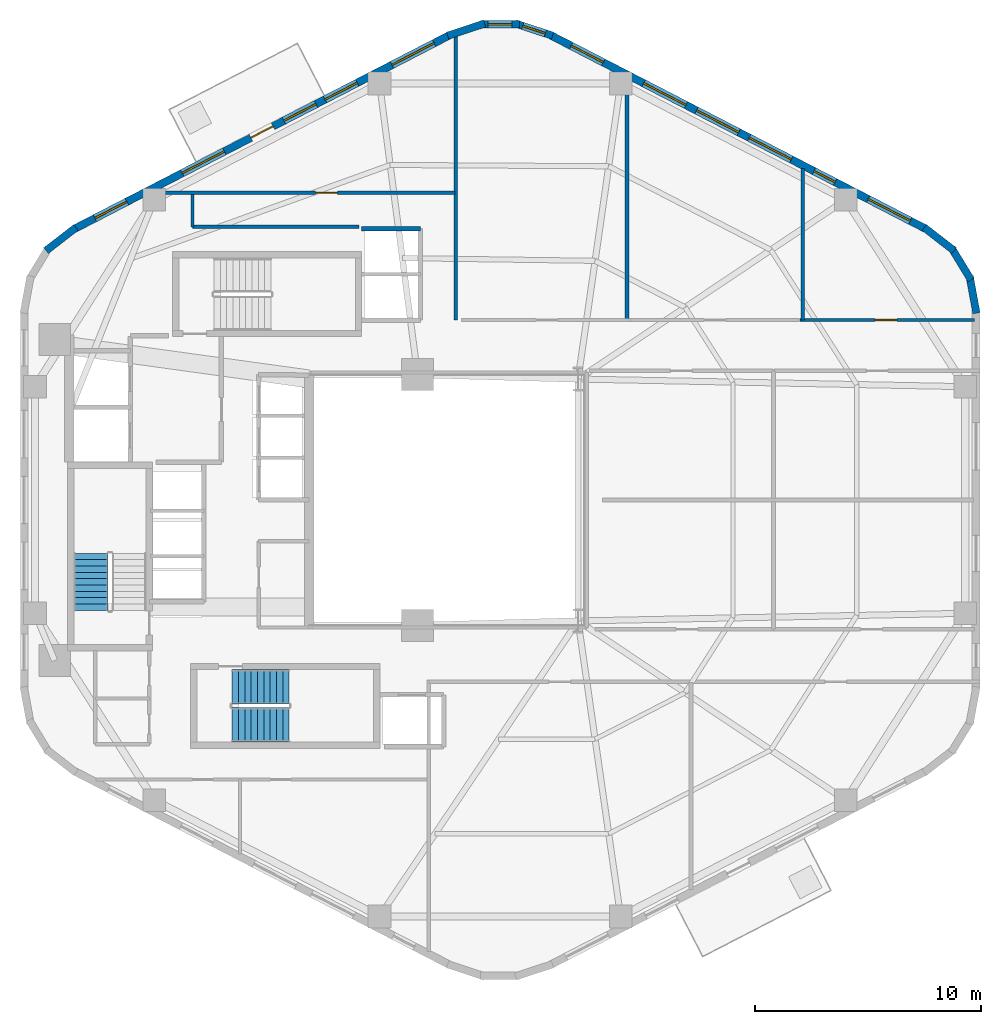
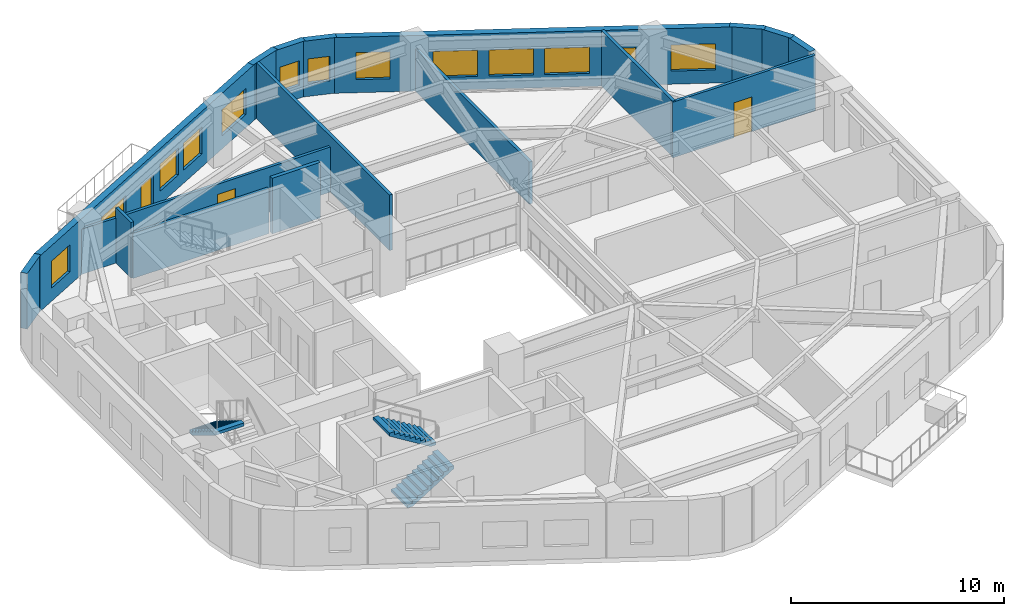
# One storey, part 5 of 8: 17 walls, 13 windows, 3 doors, 3 stair flights, 16 openings, 2 elements without a shape of their own.
"""IFC4 building model written with IfcOpenShell, lengths in metres."""

from ifc_helpers import new_model, si_unit, direction, frame, frame_2d, origin, place, context, subcontext, project, spatial, polyline, rectangle, outline, extrude, material, layer, layer_set, type_object, element, fill, aggregate, save


model = new_model("IFC4")

# Units and contexts
model_context = context("Model", 3, precision=1e-05, world=origin(), true_north=direction((0.0, 1.0)))
body_context = subcontext(model_context, "Body", "Model", "MODEL_VIEW")
ifc_project = project(units=[si_unit("LENGTHUNIT", "METRE"), si_unit("AREAUNIT", "SQUARE_METRE"), si_unit("VOLUMEUNIT", "CUBIC_METRE"), si_unit("PLANEANGLEUNIT", "RADIAN"), si_unit("MASSUNIT", "GRAM", prefix="KILO"), si_unit("THERMODYNAMICTEMPERATUREUNIT", "KELVIN"), si_unit("POWERUNIT", "WATT")], contexts=[model_context])

# Site, building, storey
site_placement = place(None, origin())
site = spatial("IfcSite", under=ifc_project, at=site_placement, CompositionType="ELEMENT")
building_placement = place(site_placement, origin())
building = spatial("IfcBuilding", under=site, at=building_placement, Name="Skarre Station Tower", CompositionType="ELEMENT")
storey_placement = place(building_placement, frame((0.0, 0.0, 153.300048828125)))
storey = spatial("IfcBuildingStorey", under=building, at=storey_placement, Name="L41", CompositionType="ELEMENT", Elevation=153.300048828125)

# Wall, opening, door
ifc_material_1 = material(Name="Acoustic Steel-Stud Gypsum Partition", Category="steel")
ifc_layer_1 = layer(ifc_material_1, 0.14990234375, Name="Acoustic Steel-Stud Gypsum Partition")
ifc_layer_set_1 = layer_set([ifc_layer_1], Name="Acoustic Steel-Stud Gypsum Partition")
wall_type_1 = type_object("IfcWallType", Name="Fire-Rated Corridor Acoustic Partition 150", PredefinedType="PARTITIONING", material=ifc_layer_set_1)
wall_1_placement = place(storey_placement, frame((34.0, 37.580078125, 0.0), z_axis=(0.0, 0.0, 1.0), x_axis=(-1.0, 0.0, 0.0)))
wall_1 = element("IfcWall", 1, at=wall_1_placement, inside=storey, type_object=wall_type_1, Name="L41 Interior Partition WL-PT-L41-NWW1-CW", PredefinedType="PARTITIONING", context=body_context, shape_type="SweptSolid", body=[
    extrude(rectangle(XDim=13.70703125, YDim=0.14990234375, at=frame_2d((6.853515625, 0.0))), origin(), (0.0, 0.0, 1.0), 2.58203125),
])
opening_1_placement = place(wall_1_placement, frame((5.195068359375, 0.0, 0.0)))
opening_1 = element("IfcOpeningElement", 2, at=opening_1_placement, cuts=wall_1, Name="Opening DR-FD60", PredefinedType="OPENING", context=body_context, shape_type="SweptSolid", body=[
    extrude(rectangle(XDim=0.9599609375, YDim=2.0, at=frame_2d((0.47998046875, 1.0))), frame((0.0, 0.0849609375, 0.0), z_axis=(0.0, -1.0, 0.0), x_axis=(1.0, 0.0, 0.0)), (0.0, 0.0, 1.0), 0.169921875),
])
ifc_material_2 = material(Name="Nordic White-Oak Veneer Solid-Core Fire Leaf", Category="wood")
door_type_1 = type_object("IfcDoorType", Name="Corridor Suite Entry Fire Door FD60 960x2150", OperationType="SINGLE_SWING_LEFT", PredefinedType="DOOR", material=ifc_material_2)
door_1_placement = place(opening_1_placement, origin())
door_1 = element("IfcDoor", 3, at=door_1_placement, inside=storey, type_object=door_type_1, Name="L41 NWW1 Entry Door", OperationType="SINGLE_SWING_LEFT", OverallHeight=2.0, OverallWidth=0.9599609375, PredefinedType="DOOR", context=body_context, shape_type="SweptSolid", body=[
    extrude(rectangle(XDim=0.9599609375, YDim=2.0, at=frame_2d((0.47998046875, 1.0))), frame((0.0, 0.02490234375, 0.0), z_axis=(0.0, -1.0, 0.0), x_axis=(1.0, 0.0, 0.0)), (0.0, 0.0, 1.0), 0.050048828125),
])
fill(opening_1, door_1)

wall_2_placement = place(storey_placement, frame((56.987060546875, 31.9599609375, 0.0), z_axis=(0.0, 0.0, 1.0), x_axis=(-1.0, 0.0, 0.0)))
wall_2 = element("IfcWall", 4, at=wall_2_placement, inside=storey, type_object=wall_type_1, Name="L41 Interior Partition WL-PT-L41-NW3-CW", PredefinedType="PARTITIONING", context=body_context, shape_type="SweptSolid", body=[
    extrude(rectangle(XDim=7.72607421875, YDim=0.14990234375, at=frame_2d((3.863037109375, 0.0))), origin(), (0.0, 0.0, 1.0), 3.18994140625),
])
opening_2_placement = place(wall_2_placement, frame((3.43994140625, 0.0, 0.0)))
opening_2 = element("IfcOpeningElement", 5, at=opening_2_placement, cuts=wall_2, Name="Opening DR-FD60", PredefinedType="OPENING", context=body_context, shape_type="SweptSolid", body=[
    extrude(rectangle(XDim=0.9599609375, YDim=2.0, at=frame_2d((0.47998046875, 1.0))), frame((0.0, 0.0849609375, 0.0), z_axis=(0.0, -1.0, 0.0), x_axis=(1.0, 0.0, 0.0)), (0.0, 0.0, 1.0), 0.169921875),
])
door_2_placement = place(opening_2_placement, origin())
door_2 = element("IfcDoor", 6, at=door_2_placement, inside=storey, type_object=door_type_1, Name="L41 NW3 Entry Door", OperationType="SINGLE_SWING_LEFT", OverallHeight=2.0, OverallWidth=0.9599609375, PredefinedType="DOOR", context=body_context, shape_type="SweptSolid", body=[
    extrude(rectangle(XDim=0.9599609375, YDim=2.0, at=frame_2d((0.47998046875, 1.0))), frame((0.0, 0.02490234375, 0.0), z_axis=(0.0, -1.0, 0.0), x_axis=(1.0, 0.0, 0.0)), (0.0, 0.0, 1.0), 0.050048828125),
])
fill(opening_2, door_2)

# Walls
wall_3_placement = place(storey_placement, frame((29.7529296875, 36.080078125, 0.0), z_axis=(0.0, 0.0, 1.0), x_axis=(-1.0, 0.0, 0.0)))
element("IfcWall", 7, at=wall_3_placement, inside=storey, type_object=wall_type_1, Name="L41 Interior Partition WL-PT-L41-CSEAL-1", PredefinedType="PARTITIONING", context=body_context, shape_type="SweptSolid", body=[
    extrude(rectangle(XDim=7.35302734375, YDim=0.14990234375, at=frame_2d((3.676513671875, 0.0))), origin(), (0.0, 0.0, 1.0), 2.58203125),
])
wall_4_placement = place(storey_placement, frame((22.39990234375, 36.080078125, 0.0), z_axis=(0.0, 0.0, 1.0), x_axis=(0.0, 1.0, 0.0)))
element("IfcWall", 8, at=wall_4_placement, inside=storey, type_object=wall_type_1, Name="L41 Interior Partition WL-PT-L41-CSEAL-2", PredefinedType="PARTITIONING", context=body_context, shape_type="SweptSolid", body=[
    extrude(rectangle(XDim=1.429931640625, YDim=0.14990234375, at=frame_2d((0.71484375, 0.0))), origin(), (0.0, 0.0, 1.0), 3.18994140625),
])

# Wall, openings, windows
ifc_material_3 = material(Name="Precast concrete C45/55", Category="concrete")
ifc_layer_2 = layer(ifc_material_3, 0.340087890625, Name="Precast concrete C45/55")
ifc_layer_set_2 = layer_set([ifc_layer_2], Name="Precast concrete C45/55")
wall_type_2 = type_object("IfcWallType", Name="Nordic Honed Precast Facet Wall 340", PredefinedType="STANDARD", material=ifc_layer_set_2)
wall_5_placement = place(storey_placement, frame((38.23095703125, 44.55810546875, 0.0), z_axis=(0.0, 0.0, 1.0), x_axis=(0.888613612362, -0.458656568606, 0.0)))
wall_5 = element("IfcWall", 9, at=wall_5_placement, inside=storey, type_object=wall_type_2, Name="L41 Facet 0 Nordic Precast Masonry Wall", PredefinedType="STANDARD", context=body_context, shape_type="SweptSolid", body=[
    extrude(rectangle(XDim=18.680908203125, YDim=0.340087890625, at=frame_2d((9.34033203125, 0.0))), origin(), (0.0, 0.0, 1.0), 3.18994140625),
])
opening_3_placement = place(wall_5_placement, frame((1.02294921875, 0.0, 0.75)))
opening_3 = element("IfcOpeningElement", 10, at=opening_3_placement, cuts=wall_5, Name="Opening WN-Z2A", PredefinedType="OPENING", context=body_context, shape_type="SweptSolid", body=[
    extrude(rectangle(XDim=1.60009765625, YDim=1.550048828125, at=frame_2d((0.800048828125, 0.77490234375))), frame((0.0, 0.179931640625, 0.0), z_axis=(0.0, -1.0, 0.0), x_axis=(1.0, 0.0, 0.0)), (0.0, 0.0, 1.0), 0.360107421875),
])
opening_4_placement = place(wall_5_placement, frame((4.637939453125, 0.0, 0.75)))
opening_4 = element("IfcOpeningElement", 11, at=opening_4_placement, cuts=wall_5, Name="Opening WN-Z2B", PredefinedType="OPENING", context=body_context, shape_type="SweptSolid", body=[
    extrude(rectangle(XDim=2.10009765625, YDim=1.5, at=frame_2d((1.050048828125, 0.75))), frame((0.0, 0.179931640625, 0.0), z_axis=(0.0, -1.0, 0.0), x_axis=(1.0, 0.0, 0.0)), (0.0, 0.0, 1.0), 0.360107421875),
])
opening_5_placement = place(wall_5_placement, frame((7.261962890625, 0.0, 0.75)))
opening_5 = element("IfcOpeningElement", 12, at=opening_5_placement, cuts=wall_5, Name="Opening WN-Z2B", PredefinedType="OPENING", context=body_context, shape_type="SweptSolid", body=[
    extrude(rectangle(XDim=2.10009765625, YDim=1.5, at=frame_2d((1.050048828125, 0.75))), frame((0.0, 0.179931640625, 0.0), z_axis=(0.0, -1.0, 0.0), x_axis=(1.0, 0.0, 0.0)), (0.0, 0.0, 1.0), 0.360107421875),
])
opening_6_placement = place(wall_5_placement, frame((9.885009765625, 0.0, 0.75)))
opening_6 = element("IfcOpeningElement", 13, at=opening_6_placement, cuts=wall_5, Name="Opening WN-Z2B", PredefinedType="OPENING", context=body_context, shape_type="SweptSolid", body=[
    extrude(rectangle(XDim=2.10009765625, YDim=1.5, at=frame_2d((1.050048828125, 0.75))), frame((0.0, 0.179931640625, 0.0), z_axis=(0.0, -1.0, 0.0), x_axis=(1.0, 0.0, 0.0)), (0.0, 0.0, 1.0), 0.360107421875),
])
opening_7_placement = place(wall_5_placement, frame((13.113037109375, 0.0, 0.75)))
opening_7 = element("IfcOpeningElement", 14, at=opening_7_placement, cuts=wall_5, Name="Opening WN-SLT", PredefinedType="OPENING", context=body_context, shape_type="SweptSolid", body=[
    extrude(rectangle(XDim=1.050048828125, YDim=1.39990234375, at=frame_2d((0.52490234375, 0.699951171875))), frame((0.0, 0.179931640625, 0.0), z_axis=(0.0, -1.0, 0.0), x_axis=(1.0, 0.0, 0.0)), (0.0, 0.0, 1.0), 0.360107421875),
])
opening_8_placement = place(wall_5_placement, frame((15.80810546875, 0.0, 0.75)))
opening_8 = element("IfcOpeningElement", 15, at=opening_8_placement, cuts=wall_5, Name="Opening WN-Z2B", PredefinedType="OPENING", context=body_context, shape_type="SweptSolid", body=[
    extrude(rectangle(XDim=2.10009765625, YDim=1.5, at=frame_2d((1.050048828125, 0.75))), frame((0.0, 0.179931640625, 0.0), z_axis=(0.0, -1.0, 0.0), x_axis=(1.0, 0.0, 0.0)), (0.0, 0.0, 1.0), 0.360107421875),
])
ifc_material_4 = material(Name="Low-Iron Triple Glazing with Bronze Anodized Frame", Category="glass")
window_type_1 = type_object("IfcWindowType", Name="Nordic Corner Slot Window 1050x1400", PartitioningType="SINGLE_PANEL", PredefinedType="WINDOW", material=ifc_material_4)
window_1_placement = place(opening_7_placement, origin())
window_1 = element("IfcWindow", 16, at=window_1_placement, inside=storey, type_object=window_type_1, Name="L41 Facade Window WL-FAC-L41-F0-5", OverallHeight=1.39990234375, OverallWidth=1.050048828125, PartitioningType="SINGLE_PANEL", PredefinedType="WINDOW", context=body_context, shape_type="SweptSolid", body=[
    extrude(rectangle(XDim=1.050048828125, YDim=1.39990234375, at=frame_2d((0.52490234375, 0.699951171875))), frame((0.0, 0.030029296875, 0.0), z_axis=(0.0, -1.0, 0.0), x_axis=(1.0, 0.0, 0.0)), (0.0, 0.0, 1.0), 0.06005859375),
])
fill(opening_7, window_1)
window_type_2 = type_object("IfcWindowType", Name="Nordic Residential Tall Window 1600x1550", PartitioningType="SINGLE_PANEL", PredefinedType="WINDOW", material=ifc_material_4)
window_2_placement = place(opening_3_placement, origin())
window_2 = element("IfcWindow", 17, at=window_2_placement, inside=storey, type_object=window_type_2, Name="L41 Facade Window WL-FAC-L41-F0-1", OverallHeight=1.550048828125, OverallWidth=1.60009765625, PartitioningType="SINGLE_PANEL", PredefinedType="WINDOW", context=body_context, shape_type="SweptSolid", body=[
    extrude(rectangle(XDim=1.60009765625, YDim=1.550048828125, at=frame_2d((0.800048828125, 0.77490234375))), frame((0.0, 0.030029296875, 0.0), z_axis=(0.0, -1.0, 0.0), x_axis=(1.0, 0.0, 0.0)), (0.0, 0.0, 1.0), 0.06005859375),
])
fill(opening_3, window_2)
window_type_3 = type_object("IfcWindowType", Name="Nordic Residential Twin Window 2100x1500", PartitioningType="SINGLE_PANEL", PredefinedType="WINDOW", material=ifc_material_4)
window_3_placement = place(opening_4_placement, origin())
window_3 = element("IfcWindow", 18, at=window_3_placement, inside=storey, type_object=window_type_3, Name="L41 Facade Window WL-FAC-L41-F0-2", OverallHeight=1.5, OverallWidth=2.10009765625, PartitioningType="SINGLE_PANEL", PredefinedType="WINDOW", context=body_context, shape_type="SweptSolid", body=[
    extrude(rectangle(XDim=2.10009765625, YDim=1.5, at=frame_2d((1.050048828125, 0.75))), frame((0.0, 0.030029296875, 0.0), z_axis=(0.0, -1.0, 0.0), x_axis=(1.0, 0.0, 0.0)), (0.0, 0.0, 1.0), 0.06005859375),
])
fill(opening_4, window_3)
window_4_placement = place(opening_5_placement, origin())
window_4 = element("IfcWindow", 19, at=window_4_placement, inside=storey, type_object=window_type_3, Name="L41 Facade Window WL-FAC-L41-F0-3", OverallHeight=1.5, OverallWidth=2.10009765625, PartitioningType="SINGLE_PANEL", PredefinedType="WINDOW", context=body_context, shape_type="SweptSolid", body=[
    extrude(rectangle(XDim=2.10009765625, YDim=1.5, at=frame_2d((1.050048828125, 0.75))), frame((0.0, 0.030029296875, 0.0), z_axis=(0.0, -1.0, 0.0), x_axis=(1.0, 0.0, 0.0)), (0.0, 0.0, 1.0), 0.06005859375),
])
fill(opening_5, window_4)
window_5_placement = place(opening_6_placement, origin())
window_5 = element("IfcWindow", 20, at=window_5_placement, inside=storey, type_object=window_type_3, Name="L41 Facade Window WL-FAC-L41-F0-4", OverallHeight=1.5, OverallWidth=2.10009765625, PartitioningType="SINGLE_PANEL", PredefinedType="WINDOW", context=body_context, shape_type="SweptSolid", body=[
    extrude(rectangle(XDim=2.10009765625, YDim=1.5, at=frame_2d((1.050048828125, 0.75))), frame((0.0, 0.030029296875, 0.0), z_axis=(0.0, -1.0, 0.0), x_axis=(1.0, 0.0, 0.0)), (0.0, 0.0, 1.0), 0.06005859375),
])
fill(opening_6, window_5)
window_6_placement = place(opening_8_placement, origin())
window_6 = element("IfcWindow", 21, at=window_6_placement, inside=storey, type_object=window_type_3, Name="L41 Facade Window WL-FAC-L41-F0-6", OverallHeight=1.5, OverallWidth=2.10009765625, PartitioningType="SINGLE_PANEL", PredefinedType="WINDOW", context=body_context, shape_type="SweptSolid", body=[
    extrude(rectangle(XDim=2.10009765625, YDim=1.5, at=frame_2d((1.050048828125, 0.75))), frame((0.0, 0.030029296875, 0.0), z_axis=(0.0, -1.0, 0.0), x_axis=(1.0, 0.0, 0.0)), (0.0, 0.0, 1.0), 0.06005859375),
])
fill(opening_8, window_6)

# Wall, openings, windows, door
wall_6_placement = place(storey_placement, frame((17.1689453125, 35.989990234375, 0.0), z_axis=(0.0, 0.0, 1.0), x_axis=(0.888613612362, 0.458656568606, 0.0)))
wall_6 = element("IfcWall", 22, at=wall_6_placement, inside=storey, type_object=wall_type_2, Name="L41 Facet 1 Nordic Precast Masonry Wall", PredefinedType="STANDARD", context=body_context, shape_type="SweptSolid", body=[
    extrude(rectangle(XDim=18.680908203125, YDim=0.340087890625, at=frame_2d((9.34033203125, 0.0))), origin(), (0.0, 0.0, 1.0), 3.18994140625),
])
opening_9_placement = place(wall_6_placement, frame((8.7900390625, 0.0, 0.0)))
opening_9 = element("IfcOpeningElement", 23, at=opening_9_placement, cuts=wall_6, Name="Opening DR-BAL110", PredefinedType="OPENING", context=body_context, shape_type="SweptSolid", body=[
    extrude(rectangle(XDim=1.10009765625, YDim=2.0400390625, at=frame_2d((0.550048828125, 1.02001953125))), frame((0.0, 0.179931640625, 0.0), z_axis=(0.0, -1.0, 0.0), x_axis=(1.0, 0.0, 0.0)), (0.0, 0.0, 1.0), 0.360107421875),
])
opening_10_placement = place(wall_6_placement, frame((1.02294921875, 0.0, 0.75)))
opening_10 = element("IfcOpeningElement", 24, at=opening_10_placement, cuts=wall_6, Name="Opening WN-Z2A", PredefinedType="OPENING", context=body_context, shape_type="SweptSolid", body=[
    extrude(rectangle(XDim=1.60009765625, YDim=1.550048828125, at=frame_2d((0.800048828125, 0.77490234375))), frame((0.0, 0.179931640625, 0.0), z_axis=(0.0, -1.0, 0.0), x_axis=(1.0, 0.0, 0.0)), (0.0, 0.0, 1.0), 0.360107421875),
])
opening_11_placement = place(wall_6_placement, frame((5.373046875, 0.0, 0.75)))
opening_11 = element("IfcOpeningElement", 25, at=opening_11_placement, cuts=wall_6, Name="Opening WN-Z2B", PredefinedType="OPENING", context=body_context, shape_type="SweptSolid", body=[
    extrude(rectangle(XDim=2.10009765625, YDim=1.5, at=frame_2d((1.050048828125, 0.75))), frame((0.0, 0.179931640625, 0.0), z_axis=(0.0, -1.0, 0.0), x_axis=(1.0, 0.0, 0.0)), (0.0, 0.0, 1.0), 0.360107421875),
])
opening_12_placement = place(wall_6_placement, frame((10.43408203125, 0.0, 0.75)))
opening_12 = element("IfcOpeningElement", 26, at=opening_12_placement, cuts=wall_6, Name="Opening WN-Z2A", PredefinedType="OPENING", context=body_context, shape_type="SweptSolid", body=[
    extrude(rectangle(XDim=1.60009765625, YDim=1.550048828125, at=frame_2d((0.800048828125, 0.77490234375))), frame((0.0, 0.179931640625, 0.0), z_axis=(0.0, -1.0, 0.0), x_axis=(1.0, 0.0, 0.0)), (0.0, 0.0, 1.0), 0.360107421875),
])
opening_13_placement = place(wall_6_placement, frame((12.48095703125, 0.0, 0.75)))
opening_13 = element("IfcOpeningElement", 27, at=opening_13_placement, cuts=wall_6, Name="Opening WN-Z2A", PredefinedType="OPENING", context=body_context, shape_type="SweptSolid", body=[
    extrude(rectangle(XDim=1.60009765625, YDim=1.550048828125, at=frame_2d((0.800048828125, 0.77490234375))), frame((0.0, 0.179931640625, 0.0), z_axis=(0.0, -1.0, 0.0), x_axis=(1.0, 0.0, 0.0)), (0.0, 0.0, 1.0), 0.360107421875),
])
opening_14_placement = place(wall_6_placement, frame((15.80810546875, 0.0, 0.75)))
opening_14 = element("IfcOpeningElement", 28, at=opening_14_placement, cuts=wall_6, Name="Opening WN-Z2B", PredefinedType="OPENING", context=body_context, shape_type="SweptSolid", body=[
    extrude(rectangle(XDim=2.10009765625, YDim=1.5, at=frame_2d((1.050048828125, 0.75))), frame((0.0, 0.179931640625, 0.0), z_axis=(0.0, -1.0, 0.0), x_axis=(1.0, 0.0, 0.0)), (0.0, 0.0, 1.0), 0.360107421875),
])
window_7_placement = place(opening_10_placement, origin())
window_7 = element("IfcWindow", 29, at=window_7_placement, inside=storey, type_object=window_type_2, Name="L41 Facade Window WL-FAC-L41-F1-1", OverallHeight=1.550048828125, OverallWidth=1.60009765625, PartitioningType="SINGLE_PANEL", PredefinedType="WINDOW", context=body_context, shape_type="SweptSolid", body=[
    extrude(rectangle(XDim=1.60009765625, YDim=1.550048828125, at=frame_2d((0.800048828125, 0.77490234375))), frame((0.0, 0.030029296875, 0.0), z_axis=(0.0, -1.0, 0.0), x_axis=(1.0, 0.0, 0.0)), (0.0, 0.0, 1.0), 0.06005859375),
])
fill(opening_10, window_7)
window_8_placement = place(opening_12_placement, origin())
window_8 = element("IfcWindow", 30, at=window_8_placement, inside=storey, type_object=window_type_2, Name="L41 Facade Window WL-FAC-L41-F1-3", OverallHeight=1.550048828125, OverallWidth=1.60009765625, PartitioningType="SINGLE_PANEL", PredefinedType="WINDOW", context=body_context, shape_type="SweptSolid", body=[
    extrude(rectangle(XDim=1.60009765625, YDim=1.550048828125, at=frame_2d((0.800048828125, 0.77490234375))), frame((0.0, 0.030029296875, 0.0), z_axis=(0.0, -1.0, 0.0), x_axis=(1.0, 0.0, 0.0)), (0.0, 0.0, 1.0), 0.06005859375),
])
fill(opening_12, window_8)
window_9_placement = place(opening_13_placement, origin())
window_9 = element("IfcWindow", 31, at=window_9_placement, inside=storey, type_object=window_type_2, Name="L41 Facade Window WL-FAC-L41-F1-4", OverallHeight=1.550048828125, OverallWidth=1.60009765625, PartitioningType="SINGLE_PANEL", PredefinedType="WINDOW", context=body_context, shape_type="SweptSolid", body=[
    extrude(rectangle(XDim=1.60009765625, YDim=1.550048828125, at=frame_2d((0.800048828125, 0.77490234375))), frame((0.0, 0.030029296875, 0.0), z_axis=(0.0, -1.0, 0.0), x_axis=(1.0, 0.0, 0.0)), (0.0, 0.0, 1.0), 0.06005859375),
])
fill(opening_13, window_9)
window_10_placement = place(opening_11_placement, origin())
window_10 = element("IfcWindow", 32, at=window_10_placement, inside=storey, type_object=window_type_3, Name="L41 Facade Window WL-FAC-L41-F1-2", OverallHeight=1.5, OverallWidth=2.10009765625, PartitioningType="SINGLE_PANEL", PredefinedType="WINDOW", context=body_context, shape_type="SweptSolid", body=[
    extrude(rectangle(XDim=2.10009765625, YDim=1.5, at=frame_2d((1.050048828125, 0.75))), frame((0.0, 0.030029296875, 0.0), z_axis=(0.0, -1.0, 0.0), x_axis=(1.0, 0.0, 0.0)), (0.0, 0.0, 1.0), 0.06005859375),
])
fill(opening_11, window_10)
window_11_placement = place(opening_14_placement, origin())
window_11 = element("IfcWindow", 33, at=window_11_placement, inside=storey, type_object=window_type_3, Name="L41 Facade Window WL-FAC-L41-F1-5", OverallHeight=1.5, OverallWidth=2.10009765625, PartitioningType="SINGLE_PANEL", PredefinedType="WINDOW", context=body_context, shape_type="SweptSolid", body=[
    extrude(rectangle(XDim=2.10009765625, YDim=1.5, at=frame_2d((1.050048828125, 0.75))), frame((0.0, 0.030029296875, 0.0), z_axis=(0.0, -1.0, 0.0), x_axis=(1.0, 0.0, 0.0)), (0.0, 0.0, 1.0), 0.06005859375),
])
fill(opening_14, window_11)
ifc_material_5 = material(Name="Thermally Broken Aluminium & Triple Glazing", Category="aluminium")
door_type_2 = type_object("IfcDoorType", Name="Terrace & Tree-Balcony Glazed Door 1100x2200", OperationType="SINGLE_SWING_LEFT", PredefinedType="DOOR", material=ifc_material_5)
door_3_placement = place(opening_9_placement, origin())
door_3 = element("IfcDoor", 34, at=door_3_placement, inside=storey, type_object=door_type_2, Name="L41 TB-L41-F1 Tree-Balcony Glazed Door", OperationType="SINGLE_SWING_LEFT", OverallHeight=2.0400390625, OverallWidth=1.10009765625, PredefinedType="DOOR", context=body_context, shape_type="SweptSolid", body=[
    extrude(rectangle(XDim=1.10009765625, YDim=2.0400390625, at=frame_2d((0.550048828125, 1.02001953125))), frame((0.0, 0.02490234375, 0.0), z_axis=(0.0, -1.0, 0.0), x_axis=(1.0, 0.0, 0.0)), (0.0, 0.0, 1.0), 0.050048828125),
])
fill(opening_9, door_3)

# Walls
ifc_layer_3 = layer(ifc_material_3, 0.330078125, Name="Precast concrete C45/55")
ifc_layer_set_3 = layer_set([ifc_layer_3], Name="Precast concrete C45/55")
wall_type_3 = type_object("IfcWallType", Name="Nordic Rounded Corner Precast Wall 330", PredefinedType="STANDARD", material=ifc_layer_set_3)
wall_7_placement = place(storey_placement, frame((54.757080078125, 36.050048828125, 0.0), z_axis=(0.0, 0.0, 1.0), x_axis=(0.790621329885, -0.612305408053, 0.0)))
element("IfcWall", 35, at=wall_7_placement, inside=storey, type_object=wall_type_3, Name="L41 Rounded Corner Precast Wall F0-1", PredefinedType="STANDARD", context=body_context, shape_type="SweptSolid", body=[
    extrude(rectangle(XDim=1.67578125, YDim=0.330078125, at=frame_2d((0.837890625, 0.0))), origin(), (0.0, 0.0, 1.0), 3.18994140625),
])
wall_8_placement = place(storey_placement, frame((55.95703125, 35.1640625, 0.0), z_axis=(0.0, 0.0, 1.0), x_axis=(0.520519429557, -0.853849824883, 0.0)))
element("IfcWall", 36, at=wall_8_placement, inside=storey, type_object=wall_type_3, Name="L41 Rounded Corner Precast Wall F0-2", PredefinedType="STANDARD", context=body_context, shape_type="SweptSolid", body=[
    extrude(rectangle(XDim=1.67724609375, YDim=0.330078125, at=frame_2d((0.838623046875, 0.0))), origin(), (0.0, 0.0, 1.0), 3.18994140625),
])
wall_9_placement = place(storey_placement, frame((56.762939453125, 33.906982421875, 0.0), z_axis=(0.0, 0.0, 1.0), x_axis=(0.181984991895, -0.983301308209, 0.0)))
element("IfcWall", 37, at=wall_9_placement, inside=storey, type_object=wall_type_3, Name="L41 Rounded Corner Precast Wall F0-3", PredefinedType="STANDARD", context=body_context, shape_type="SweptSolid", body=[
    extrude(rectangle(XDim=1.677001953125, YDim=0.330078125, at=frame_2d((0.83837890625, 0.0))), origin(), (0.0, 0.0, 1.0), 3.18994140625),
])
wall_10_placement = place(storey_placement, frame((33.680908203125, 44.531982421875, 0.0), z_axis=(0.0, 0.0, 1.0), x_axis=(0.949937416267, 0.312440242569, 0.0)))
element("IfcWall", 38, at=wall_10_placement, inside=storey, type_object=wall_type_3, Name="L41 Rounded Corner Precast Wall F1-1", PredefinedType="STANDARD", context=body_context, shape_type="SweptSolid", body=[
    extrude(rectangle(XDim=1.72216796875, YDim=0.330078125, at=frame_2d((0.861083984375, 0.0))), origin(), (0.0, 0.0, 1.0), 3.18994140625),
])

# Wall, opening, window
wall_11_placement = place(storey_placement, frame((35.138916015625, 45.041015625, 0.0), z_axis=(0.0, 0.0, 1.0), x_axis=(1.0, 0.0, 0.0)))
wall_11 = element("IfcWall", 39, at=wall_11_placement, inside=storey, type_object=wall_type_3, Name="L41 Rounded Corner Precast Wall F1-2", PredefinedType="STANDARD", context=body_context, shape_type="SweptSolid", body=[
    extrude(rectangle(XDim=1.72216796875, YDim=0.330078125, at=frame_2d((0.861083984375, 0.0))), origin(), (0.0, 0.0, 1.0), 3.18994140625),
])
opening_15_placement = place(wall_11_placement, frame((0.3359375, 0.0, 0.75)))
opening_15 = element("IfcOpeningElement", 40, at=opening_15_placement, cuts=wall_11, Name="Opening WN-SLT", PredefinedType="OPENING", context=body_context, shape_type="SweptSolid", body=[
    extrude(rectangle(XDim=1.050048828125, YDim=1.39990234375, at=frame_2d((0.52490234375, 0.699951171875))), frame((0.0, 0.175048828125, 0.0), z_axis=(0.0, -1.0, 0.0), x_axis=(1.0, 0.0, 0.0)), (0.0, 0.0, 1.0), 0.35009765625),
])
window_12_placement = place(opening_15_placement, origin())
window_12 = element("IfcWindow", 41, at=window_12_placement, inside=storey, type_object=window_type_1, Name="L41 Apex Corner Slot Window F1-2", OverallHeight=1.39990234375, OverallWidth=1.050048828125, PartitioningType="SINGLE_PANEL", PredefinedType="WINDOW", context=body_context, shape_type="SweptSolid", body=[
    extrude(rectangle(XDim=1.050048828125, YDim=1.39990234375, at=frame_2d((0.52490234375, 0.699951171875))), frame((0.0, 0.030029296875, 0.0), z_axis=(0.0, -1.0, 0.0), x_axis=(1.0, 0.0, 0.0)), (0.0, 0.0, 1.0), 0.06005859375),
])
fill(opening_15, window_12)

wall_12_placement = place(storey_placement, frame((36.68310546875, 45.070068359375, 0.0), z_axis=(0.0, 0.0, 1.0), x_axis=(0.949937416267, -0.312440242569, 0.0)))
wall_12 = element("IfcWall", 42, at=wall_12_placement, inside=storey, type_object=wall_type_3, Name="L41 Rounded Corner Precast Wall F1-3", PredefinedType="STANDARD", context=body_context, shape_type="SweptSolid", body=[
    extrude(rectangle(XDim=1.72216796875, YDim=0.330078125, at=frame_2d((0.861083984375, 0.0))), origin(), (0.0, 0.0, 1.0), 3.18994140625),
])
opening_16_placement = place(wall_12_placement, frame((0.3359375, 0.0, 0.75)))
opening_16 = element("IfcOpeningElement", 43, at=opening_16_placement, cuts=wall_12, Name="Opening WN-SLT", PredefinedType="OPENING", context=body_context, shape_type="SweptSolid", body=[
    extrude(rectangle(XDim=1.050048828125, YDim=1.39990234375, at=frame_2d((0.52490234375, 0.699951171875))), frame((0.0, 0.175048828125, 0.0), z_axis=(0.0, -1.0, 0.0), x_axis=(1.0, 0.0, 0.0)), (0.0, 0.0, 1.0), 0.35009765625),
])
window_13_placement = place(opening_16_placement, origin())
window_13 = element("IfcWindow", 44, at=window_13_placement, inside=storey, type_object=window_type_1, Name="L41 Apex Corner Slot Window F1-3", OverallHeight=1.39990234375, OverallWidth=1.050048828125, PartitioningType="SINGLE_PANEL", PredefinedType="WINDOW", context=body_context, shape_type="SweptSolid", body=[
    extrude(rectangle(XDim=1.050048828125, YDim=1.39990234375, at=frame_2d((0.52490234375, 0.699951171875))), frame((0.0, 0.030029296875, 0.0), z_axis=(0.0, -1.0, 0.0), x_axis=(1.0, 0.0, 0.0)), (0.0, 0.0, 1.0), 0.06005859375),
])
fill(opening_16, window_13)

# Walls
wall_13_placement = place(storey_placement, frame((15.91796875, 35.02392578125, 0.0), z_axis=(0.0, 0.0, 1.0), x_axis=(0.790621329885, 0.612305408053, 0.0)))
element("IfcWall", 45, at=wall_13_placement, inside=storey, type_object=wall_type_3, Name="L41 Rounded Corner Precast Wall F2-3", PredefinedType="STANDARD", context=body_context, shape_type="SweptSolid", body=[
    extrude(rectangle(XDim=1.67578125, YDim=0.330078125, at=frame_2d((0.837890625, 0.0))), origin(), (0.0, 0.0, 1.0), 3.18994140625),
])
ifc_material_6 = material(Name="Gypsum Concrete Shaft Assembly C30/37", Category="concrete")
ifc_layer_4 = layer(ifc_material_6, 0.199951171875, Name="Gypsum Concrete Shaft Assembly C30/37")
ifc_layer_set_4 = layer_set([ifc_layer_4], Name="Gypsum Concrete Shaft Assembly C30/37")
wall_type_4 = type_object("IfcWallType", Name="Shaft & Core Fire Partition 200", PredefinedType="PARTITIONING", material=ifc_layer_set_4)
wall_14_placement = place(storey_placement, frame((29.8798828125, 36.0, 0.0), z_axis=(0.0, 0.0, 1.0), x_axis=(1.0, 0.0, 0.0)))
element("IfcWall", 46, at=wall_14_placement, inside=storey, type_object=wall_type_4, Name="L41 Interior Partition WL-PT-L41-EX-N", PredefinedType="PARTITIONING", context=body_context, shape_type="SweptSolid", body=[
    extrude(rectangle(XDim=2.60009765625, YDim=0.199951171875, at=frame_2d((1.300048828125, 0.0))), origin(), (0.0, 0.0, 1.0), 3.18994140625),
])
ifc_layer_5 = layer(ifc_material_1, 0.1650390625, Name="Acoustic Steel-Stud Gypsum Partition")
ifc_layer_set_5 = layer_set([ifc_layer_5], Name="Acoustic Steel-Stud Gypsum Partition")
wall_type_5 = type_object("IfcWallType", Name="Suite Demising Acoustic Partition 165", PredefinedType="PARTITIONING", material=ifc_layer_set_5)
wall_15_placement = place(storey_placement, frame((34.0400390625, 31.9599609375, 0.0), z_axis=(0.0, 0.0, 1.0), x_axis=(0.0, 1.0, 0.0)))
element("IfcWall", 47, at=wall_15_placement, inside=storey, type_object=wall_type_5, Name="L41 Interior Partition WL-PT-L41-NW-WBND", PredefinedType="PARTITIONING", context=body_context, shape_type="SweptSolid", body=[
    extrude(rectangle(XDim=12.55810546875, YDim=0.1650390625, at=frame_2d((6.279052734375, 0.0))), origin(), (0.0, 0.0, 1.0), 3.18994140625),
])
wall_16_placement = place(storey_placement, frame((41.616943359375, 31.969970703125, 0.0), z_axis=(0.0, 0.0, 1.0), x_axis=(0.0, 1.0, 0.0)))
element("IfcWall", 48, at=wall_16_placement, inside=storey, type_object=wall_type_5, Name="L41 Interior Partition WL-PT-L41-NW-P1", PredefinedType="PARTITIONING", context=body_context, shape_type="SweptSolid", body=[
    extrude(rectangle(XDim=10.705078125, YDim=0.1650390625, at=frame_2d((5.3525390625, 0.0))), origin(), (0.0, 0.0, 1.0), 2.419921875),
])
wall_17_placement = place(storey_placement, frame((49.381103515625, 31.969970703125, 0.0), z_axis=(0.0, 0.0, 1.0), x_axis=(0.0, 1.0, 0.0)))
element("IfcWall", 49, at=wall_17_placement, inside=storey, type_object=wall_type_5, Name="L41 Interior Partition WL-PT-L41-NW-P2", PredefinedType="PARTITIONING", context=body_context, shape_type="SweptSolid", body=[
    extrude(rectangle(XDim=6.697998046875, YDim=0.1650390625, at=frame_2d((3.34912109375, 0.0))), origin(), (0.0, 0.0, 1.0), 3.18994140625),
])

# Stair, stair flight
ifc_material_7 = material(Name="Concrete C40/50", Category="concrete")
stair_type_1 = type_object("IfcStairType", Name="Reinforced Concrete Exit Stair ST-1", PredefinedType="HALF_TURN_STAIR", material=ifc_material_7)
stair_1_placement = place(storey_placement, origin())
stair_1 = element("IfcStair", 50, at=stair_1_placement, inside=storey, type_object=stair_type_1, Name="L41 Core Exit Stair ST-1", PredefinedType="HALF_TURN_STAIR")
stair_flight_type_1 = type_object("IfcStairFlightType", Name="Reinforced Concrete Stair Flight ST-1", PredefinedType="STRAIGHT", material=ifc_material_7)
stair_flight_1_placement = place(storey_placement, frame((17.909912109375, 21.639892578125, 1.724853515625), z_axis=(0.0, 0.0, 1.0), x_axis=(0.0, -1.0, 0.0)))
stair_flight_1 = element("IfcStairFlight", 51, at=stair_flight_1_placement, type_object=stair_flight_type_1, Name="ST-1 flight 2", NumberOfRisers=10, NumberOfTreads=9, PredefinedType="STRAIGHT", RiserHeight=0.1725, TreadLength=0.28, context=body_context, shape_type="SweptSolid", body=[
    extrude(outline(polyline([(0.0, 0.0), (0.0, 0.172607421875), (0.280029296875, 0.172607421875), (0.280029296875, 0.344970703125), (0.56005859375, 0.344970703125), (0.56005859375, 0.517578125), (0.840087890625, 0.517578125), (0.840087890625, 0.68994140625), (1.1201171875, 0.68994140625), (1.1201171875, 0.862548828125), (1.39990234375, 0.862548828125), (1.39990234375, 1.034912109375), (1.679931640625, 1.034912109375), (1.679931640625, 1.20751953125), (1.9599609375, 1.20751953125), (1.9599609375, 1.3798828125), (2.239990234375, 1.3798828125), (2.239990234375, 1.552490234375), (2.52001953125, 1.552490234375), (2.52001953125, 1.72509765625), (2.52001953125, 1.37646484375), (0.285888671875, 0.0), (0.0, 0.0)])), frame((0.0, 0.760009765625, 0.0), z_axis=(0.0, -1.0, 0.0), x_axis=(1.0, 0.0, 0.0)), (0.0, 0.0, 1.0), 1.52001953125),
])
aggregate(stair_1, [stair_flight_1])

# Stair, stair flights
stair_type_2 = type_object("IfcStairType", Name="Reinforced Concrete Exit Stair ST-2", PredefinedType="HALF_TURN_STAIR", material=ifc_material_7)
stair_2_placement = place(storey_placement, origin())
stair_2 = element("IfcStair", 52, at=stair_2_placement, inside=storey, type_object=stair_type_2, Name="L41 Core Exit Stair ST-2", PredefinedType="HALF_TURN_STAIR")
stair_flight_type_2 = type_object("IfcStairFlightType", Name="Reinforced Concrete Stair Flight ST-2", PredefinedType="STRAIGHT", material=ifc_material_7)
stair_flight_2_placement = place(storey_placement, frame((24.14990234375, 14.06005859375, 0.0), z_axis=(0.0, 0.0, 1.0), x_axis=(1.0, 0.0, 0.0)))
stair_flight_2 = element("IfcStairFlight", 53, at=stair_flight_2_placement, type_object=stair_flight_type_2, Name="ST-2 flight 1", NumberOfRisers=10, NumberOfTreads=9, PredefinedType="STRAIGHT", RiserHeight=0.1725, TreadLength=0.28, context=body_context, shape_type="SweptSolid", body=[
    extrude(outline(polyline([(0.0, 0.0), (0.0, 0.172607421875), (0.280029296875, 0.172607421875), (0.280029296875, 0.344970703125), (0.56005859375, 0.344970703125), (0.56005859375, 0.517578125), (0.840087890625, 0.517578125), (0.840087890625, 0.68994140625), (1.1201171875, 0.68994140625), (1.1201171875, 0.862548828125), (1.39990234375, 0.862548828125), (1.39990234375, 1.034912109375), (1.679931640625, 1.034912109375), (1.679931640625, 1.20751953125), (1.9599609375, 1.20751953125), (1.9599609375, 1.3798828125), (2.239990234375, 1.3798828125), (2.239990234375, 1.552490234375), (2.52001953125, 1.552490234375), (2.52001953125, 1.72509765625), (2.52001953125, 1.37646484375), (0.285888671875, 0.0), (0.0, 0.0)])), frame((0.0, 0.760009765625, 0.0), z_axis=(0.0, -1.0, 0.0), x_axis=(1.0, 0.0, 0.0)), (0.0, 0.0, 1.0), 1.52001953125),
])
stair_flight_3_placement = place(storey_placement, frame((26.669921875, 15.739990234375, 1.724853515625), z_axis=(0.0, 0.0, 1.0), x_axis=(-1.0, 0.0, 0.0)))
stair_flight_3 = element("IfcStairFlight", 54, at=stair_flight_3_placement, type_object=stair_flight_type_2, Name="ST-2 flight 2", NumberOfRisers=10, NumberOfTreads=9, PredefinedType="STRAIGHT", RiserHeight=0.1725, TreadLength=0.28, context=body_context, shape_type="SweptSolid", body=[
    extrude(outline(polyline([(0.0, 0.0), (0.0, 0.172607421875), (0.280029296875, 0.172607421875), (0.280029296875, 0.344970703125), (0.56005859375, 0.344970703125), (0.56005859375, 0.517578125), (0.840087890625, 0.517578125), (0.840087890625, 0.68994140625), (1.1201171875, 0.68994140625), (1.1201171875, 0.862548828125), (1.39990234375, 0.862548828125), (1.39990234375, 1.034912109375), (1.679931640625, 1.034912109375), (1.679931640625, 1.20751953125), (1.9599609375, 1.20751953125), (1.9599609375, 1.3798828125), (2.239990234375, 1.3798828125), (2.239990234375, 1.552490234375), (2.52001953125, 1.552490234375), (2.52001953125, 1.72509765625), (2.52001953125, 1.37646484375), (0.285888671875, 0.0), (0.0, 0.0)])), frame((0.0, 0.760009765625, 0.0), z_axis=(0.0, -1.0, 0.0), x_axis=(1.0, 0.0, 0.0)), (0.0, 0.0, 1.0), 1.52001953125),
])
aggregate(stair_2, [stair_flight_2, stair_flight_3])

save(model, "model.ifc")
